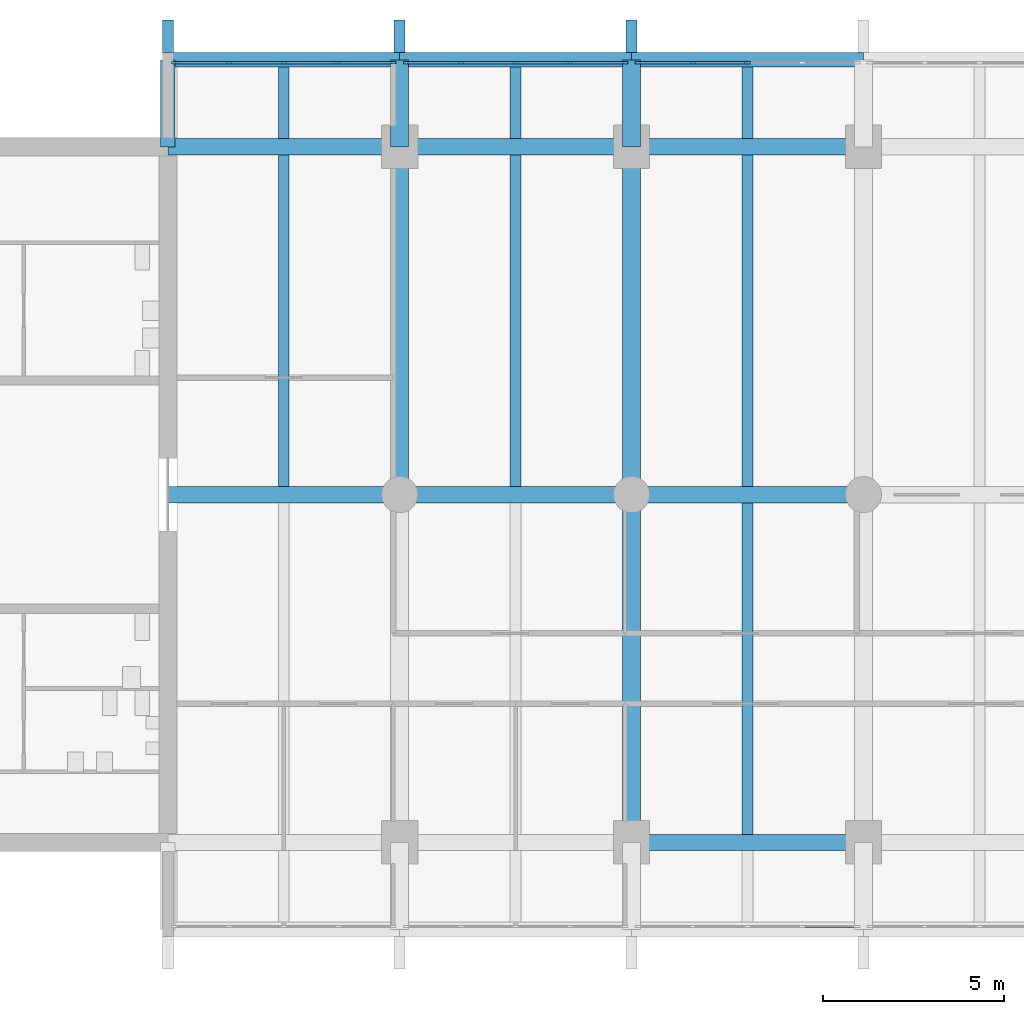
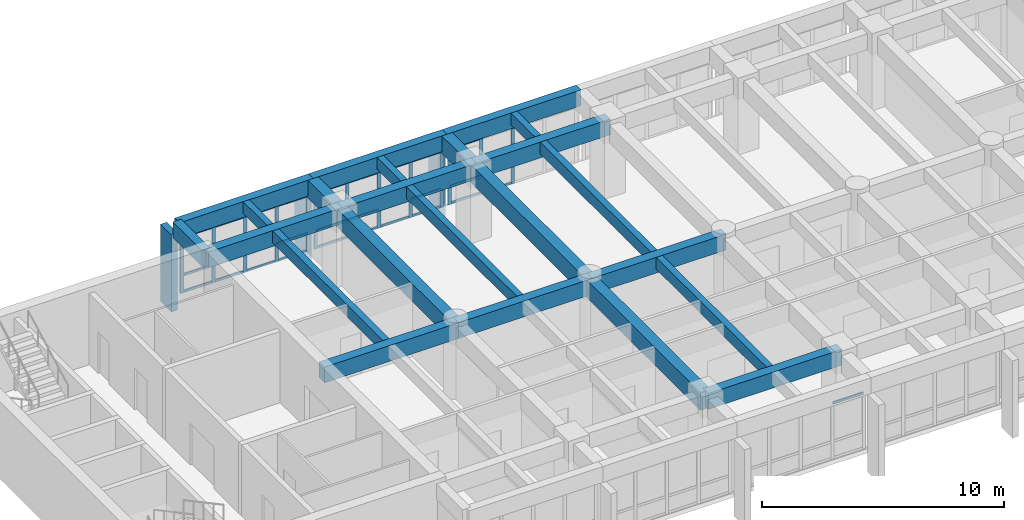
# One storey, part 3 of 15: 45 members, 23 beams, 4 elements without a shape of their own.
"""IFC4 building model written with IfcOpenShell, lengths in metres."""

import ifcopenshell
import ifcopenshell.guid

model = None  # the IFC model being written
_history = None  # IfcOwnerHistory: only IFC2X3 demands one
_inside = {}  # id of a spatial element -> (the spatial element, [elements in it])
_under = {}  # id of a project, library or spatial element -> (it, [spatial elements below it])
_declared = {}  # id of a project -> (the project, [libraries it declares])
_typed = {}  # id of a type object -> (the type object, [elements of that type])
_made_of = {}  # id of a material, layer set ... -> (it, [elements and type objects made of it])


def new_model(schema):
    """Start an empty IFC model of exactly this schema.

    Asked for "IFC4X3", IfcOpenShell would pick the latest addendum, in which some entities
    have other attributes; the version numbers below select the first issue.
    IFC2X3 requires an IfcOwnerHistory on every rooted entity: one is made here for all.
    """
    global model, _history
    if schema == "IFC4X3":
        model = ifcopenshell.file(schema_version=(4, 3, 0, 0))
    else:
        model = ifcopenshell.file(schema=schema)
    _inside.clear()
    _under.clear()
    _declared.clear()
    _typed.clear()
    _made_of.clear()
    _history = None
    if model.schema == "IFC2X3":
        org = make("IfcOrganization", Name="unknown")
        user = make(
            "IfcPersonAndOrganization",
            ThePerson=make("IfcPerson", FamilyName="unknown"),
            TheOrganization=org,
        )
        app = make(
            "IfcApplication",
            ApplicationDeveloper=org,
            Version="unknown",
            ApplicationFullName="unknown",
            ApplicationIdentifier="unknown",
        )
        _history = make(
            "IfcOwnerHistory",
            OwningUser=user,
            OwningApplication=app,
            ChangeAction="ADDED",
            CreationDate=0,
        )
    return model


def make(cls, **values):
    """One entity of the class cls with the attributes given. An attribute that is None is left unset."""
    return model.create_entity(
        cls, **{name: value for name, value in values.items() if value is not None}
    )


def rooted(cls, **values):
    """An entity with a GlobalId (a new one), such as an element, a storey or a relation."""
    return make(cls, GlobalId=ifcopenshell.guid.new(), OwnerHistory=_history, **values)


def si_unit(unit_type, name, prefix=None):
    """IfcSIUnit, for example si_unit("LENGTHUNIT", "METRE", prefix="MILLI")."""
    return make("IfcSIUnit", UnitType=unit_type, Prefix=prefix, Name=name)


def assignment(units):
    """IfcUnitAssignment: the units of a project."""
    return None if units is None else make("IfcUnitAssignment", Units=units)


def point(xyz):
    """IfcCartesianPoint."""
    return None if xyz is None else make("IfcCartesianPoint", Coordinates=xyz)


def direction(xyz):
    """IfcDirection."""
    return None if xyz is None else make("IfcDirection", DirectionRatios=xyz)


def frame(location, z_axis=None, x_axis=None):
    """IfcAxis2Placement3D, a coordinate frame: its origin and axes. An axis left out is left unset."""
    return make(
        "IfcAxis2Placement3D",
        Location=point(location),
        Axis=direction(z_axis),
        RefDirection=direction(x_axis),
    )


def frame_2d(location, x_axis=None):
    """IfcAxis2Placement2D, a coordinate frame in the plane: its origin and x axis."""
    return make(
        "IfcAxis2Placement2D", Location=point(location), RefDirection=direction(x_axis)
    )


def origin():
    """The frame at (0, 0, 0) with its axes left unset."""
    return frame((0.0, 0.0, 0.0))


def origin_2d():
    """The frame at (0, 0) in the plane with its x axis left unset."""
    return frame_2d((0.0, 0.0))


def place(relative_to, where):
    """IfcLocalPlacement: puts the frame where relative to a parent placement (None: the world)."""
    return make(
        "IfcLocalPlacement", PlacementRelTo=relative_to, RelativePlacement=where
    )


def context(
    kind, dimensions, precision=None, world=None, true_north=None, identifier=None
):
    """IfcGeometricRepresentationContext, for example the 3D "Model" context."""
    return make(
        "IfcGeometricRepresentationContext",
        ContextIdentifier=identifier,
        ContextType=kind,
        CoordinateSpaceDimension=dimensions,
        Precision=precision,
        WorldCoordinateSystem=world,
        TrueNorth=true_north,
    )


def subcontext(parent, identifier, kind, view, scale=None):
    """IfcGeometricRepresentationSubContext, for example "Body" below "Model"."""
    return make(
        "IfcGeometricRepresentationSubContext",
        ContextIdentifier=identifier,
        ContextType=kind,
        ParentContext=parent,
        TargetScale=scale,
        TargetView=view,
    )


def project(units=None, contexts=None):
    """IfcProject with its units and contexts."""
    return rooted(
        "IfcProject",
        Name="project",
        RepresentationContexts=contexts,
        UnitsInContext=assignment(units),
    )


def spatial(cls, under=None, at=None, **own):
    """A site, building, storey or space (cls), placed at a placement, below another one or the project."""
    s = rooted(cls, ObjectPlacement=at, **own)
    if under is not None:
        _under.setdefault(under.id(), (under, []))[1].append(s)
    return s


def profile(cls, at=None, kind="AREA", **sizes):
    """A parametric profile (cls). Its sizes go by their IFC names, for example OverallWidth=200.0."""
    return make(cls, ProfileType=kind, Position=at, **sizes)


def rectangle(**sizes):
    """IfcRectangleProfileDef."""
    return profile("IfcRectangleProfileDef", **sizes)


def extrude(swept, where, along, depth):
    """IfcExtrudedAreaSolid: the profile swept, set in the frame where, extruded along a direction by depth."""
    return make(
        "IfcExtrudedAreaSolid",
        SweptArea=swept,
        Position=where,
        ExtrudedDirection=direction(along),
        Depth=depth,
    )


def shape(context_of_items, identifier, shape_type, items):
    """IfcShapeRepresentation: the items that make up one representation, for example the "Body"."""
    return make(
        "IfcShapeRepresentation",
        ContextOfItems=context_of_items,
        RepresentationIdentifier=identifier,
        RepresentationType=shape_type,
        Items=items,
    )


def material(Name=None, Category=None):
    """IfcMaterial."""
    return make("IfcMaterial", Name=Name, Category=Category)


def layer(
    of_material, thickness, ventilated=None, Name=None, Category=None, Priority=None
):
    """IfcMaterialLayer: one layer of a wall or slab, of a material (None: an air gap)."""
    return make(
        "IfcMaterialLayer",
        Material=of_material,
        LayerThickness=thickness,
        IsVentilated=ventilated,
        Name=Name,
        Category=Category,
        Priority=Priority,
    )


def layer_set(layers, Name=None):
    """IfcMaterialLayerSet."""
    return make("IfcMaterialLayerSet", MaterialLayers=layers, LayerSetName=Name)


def material_profile(
    of_material, cross_section, Name=None, Category=None, Priority=None
):
    """IfcMaterialProfile: a cross section and its material."""
    return make(
        "IfcMaterialProfile",
        Name=Name,
        Material=of_material,
        Profile=cross_section,
        Priority=Priority,
        Category=Category,
    )


def profile_set(profiles, Name=None, composite=None):
    """IfcMaterialProfileSet."""
    return make(
        "IfcMaterialProfileSet",
        Name=Name,
        MaterialProfiles=profiles,
        CompositeProfile=composite,
    )


def made_of(thing, what):
    """Note that an element or type object is made of a material, layer set ...; save() writes the relation."""
    if what is not None:
        _made_of.setdefault(what.id(), (what, []))[1].append(thing)
    return thing


def type_object(cls, material=None, **own):
    """A type object (cls), such as IfcWallType, which elements share."""
    return made_of(rooted(cls, **own), material)


def element(
    cls,
    number,
    at=None,
    inside=None,
    cuts=None,
    type_object=None,
    material=None,
    context=None,
    identifier="Body",
    shape_type=None,
    held_by="IfcProductDefinitionShape",
    body=None,
    shapes=None,
    **own,
):
    """One element of the class cls, such as IfcWall. Its Tag is "e" and its number.

    at: its placement. inside: the storey or other place that contains it. cuts: it is an
    opening in that element (IfcRelVoidsElement). A single representation is given by context,
    identifier, shape_type and body (its items); several are given by shapes. held_by: the class
    of the entity that holds the representations. save() writes the other relations.
    """
    e = rooted(cls, Tag="e%d" % number, ObjectPlacement=at, **own)
    if body is not None:
        shapes = [shape(context, identifier, shape_type, body)]
    if shapes is not None:
        e.Representation = make(held_by, Representations=shapes)
    if inside is not None:
        _inside.setdefault(inside.id(), (inside, []))[1].append(e)
    if cuts is not None:
        rooted(
            "IfcRelVoidsElement", RelatingBuildingElement=cuts, RelatedOpeningElement=e
        )
    if type_object is not None:
        _typed.setdefault(type_object.id(), (type_object, []))[1].append(e)
    return made_of(e, material)


def aggregate(whole, parts):
    """IfcRelAggregates: a whole, such as a stair, and the parts it consists of."""
    return rooted("IfcRelAggregates", RelatingObject=whole, RelatedObjects=parts)


def save(model, path):
    """Write the relations noted so far, then the file.

    IfcRelAggregates (storeys below a building ...), IfcRelContainedInSpatialStructure (elements
    in a storey), IfcRelDefinesByType, IfcRelAssociatesMaterial and IfcRelDeclares: one each for
    every whole, place, type object, material and project.
    """
    for whole, parts in _under.values():
        aggregate(whole, parts)
    for where, things in _inside.values():
        rooted(
            "IfcRelContainedInSpatialStructure",
            RelatedElements=things,
            RelatingStructure=where,
        )
    for kind, things in _typed.values():
        rooted("IfcRelDefinesByType", RelatedObjects=things, RelatingType=kind)
    for what, things in _made_of.values():
        rooted("IfcRelAssociatesMaterial", RelatedObjects=things, RelatingMaterial=what)
    for by, libraries in _declared.values():
        rooted("IfcRelDeclares", RelatingContext=by, RelatedDefinitions=libraries)
    model.write(path)


model = new_model("IFC4")

# Units and contexts
model_context = context("Model", 3, precision=1e-05, world=origin(), true_north=direction((0.0, 1.0)))
body_context = subcontext(model_context, "Body", "Model", "MODEL_VIEW")
ifc_project = project(units=[si_unit("LENGTHUNIT", "METRE"), si_unit("AREAUNIT", "SQUARE_METRE"), si_unit("VOLUMEUNIT", "CUBIC_METRE"), si_unit("PLANEANGLEUNIT", "RADIAN"), si_unit("MASSUNIT", "GRAM", prefix="KILO")], contexts=[model_context])

# Site, building, storey
site_placement = place(None, origin())
site = spatial("IfcSite", under=ifc_project, at=site_placement, CompositionType="ELEMENT")
building_placement = place(site_placement, origin())
building = spatial("IfcBuilding", under=site, at=building_placement, Name="Fogon Plaza Fire Station and Headquarters Tower", CompositionType="ELEMENT")
storey_placement = place(building_placement, frame((0.0, 0.0, 28.800048828125)))
storey = spatial("IfcBuildingStorey", under=building, at=storey_placement, Name="L07", CompositionType="ELEMENT", Elevation=28.800048828125)

# Beams
ifc_material_1 = material(Name="Concrete C40", Category="concrete")
ifc_material_profile_1 = material_profile(ifc_material_1, rectangle(XDim=0.39990234375, YDim=0.800048828125, at=origin_2d()), Name="RC 400x800")
ifc_profile_set_1 = profile_set([ifc_material_profile_1], Name="Concrete C40")
beam_type_1 = type_object("IfcBeamType", Name="BEAM RC 400x800", PredefinedType="BEAM", material=ifc_profile_set_1)
for number, where, z_axis, x_axis, name in (
    (1, (25.60009765625, 55.199951171875, 3.280029296875), (1.0, 0.0, 0.0), (0.0, 1.0, 0.0), "beam-L07-045"),
    (2, (32.0, 55.199951171875, 3.280029296875), (1.0, 0.0, 0.0), (0.0, 1.0, 0.0), "beam-L07-046"),
):
    element("IfcBeam", number, at=place(storey_placement, frame(where, z_axis=z_axis, x_axis=x_axis)), inside=storey, type_object=beam_type_1, Name=name, PredefinedType="BEAM", context=body_context, shape_type="SweptSolid", body=[
        extrude(rectangle(XDim=0.39990234375, YDim=0.800048828125, at=origin_2d()), origin(), (0.0, 0.0, 1.0), 6.39990234375),
    ])
beam_1_placement = place(storey_placement, frame((38.39990234375, 55.199951171875, 3.280029296875), z_axis=(1.0, 0.0, 0.0), x_axis=(0.0, 1.0, 0.0)))
element("IfcBeam", 3, at=beam_1_placement, inside=storey, type_object=beam_type_1, Name="beam-L07-047", PredefinedType="BEAM", context=body_context, shape_type="SweptSolid", body=[
    extrude(rectangle(XDim=0.39990234375, YDim=0.800048828125, at=origin_2d()), origin(), (0.0, 0.0, 1.0), 6.400146484375),
])
ifc_material_2 = material(Name="Concrete C40", Category="concrete")
ifc_material_profile_2 = material_profile(ifc_material_2, rectangle(XDim=0.39990234375, YDim=0.800048828125, at=origin_2d()), Name="RC 400x800")
ifc_profile_set_2 = profile_set([ifc_material_profile_2], Name="Concrete C40")
beam_type_2 = type_object("IfcBeamType", Name="BEAM RC 400x800 SPAN 0.0 TO 3.0 M", PredefinedType="BEAM", material=ifc_profile_set_2)
beam_2_placement = place(storey_placement, frame((25.60009765625, 52.800048828125, 3.280029296875), z_axis=(0.0, 1.0, 0.0), x_axis=(-1.0, 0.0, 0.0)))
element("IfcBeam", 4, at=beam_2_placement, inside=storey, type_object=beam_type_2, Name="beam-L07-052", PredefinedType="BEAM", context=body_context, shape_type="SweptSolid", body=[
    extrude(rectangle(XDim=0.39990234375, YDim=0.800048828125, at=origin_2d()), origin(), (0.0, 0.0, 1.0), 2.39990234375),
])
ifc_material_3 = material(Name="Concrete C40", Category="concrete")
ifc_material_profile_3 = material_profile(ifc_material_3, rectangle(XDim=0.449951171875, YDim=0.800048828125, at=origin_2d()), Name="RC 450x800")
ifc_profile_set_3 = profile_set([ifc_material_profile_3], Name="Concrete C40")
beam_type_3 = type_object("IfcBeamType", Name="BEAM RC 450x800", PredefinedType="BEAM", material=ifc_profile_set_3)
beam_3_placement = place(storey_placement, frame((38.39990234375, 33.60009765625, 3.280029296875), z_axis=(1.0, 0.0, 0.0), x_axis=(0.0, 1.0, 0.0)))
element("IfcBeam", 5, at=beam_3_placement, inside=storey, type_object=beam_type_3, Name="beam-L07-023", PredefinedType="BEAM", context=body_context, shape_type="SweptSolid", body=[
    extrude(rectangle(XDim=0.449951171875, YDim=0.800048828125, at=origin_2d()), origin(), (0.0, 0.0, 1.0), 6.400146484375),
])
for number, where, z_axis, x_axis, name in (
    (6, (25.60009765625, 43.199951171875, 3.280029296875), (1.0, 0.0, 0.0), (0.0, 1.0, 0.0), "beam-L07-027"),
    (7, (32.0, 43.199951171875, 3.280029296875), (1.0, 0.0, 0.0), (0.0, 1.0, 0.0), "beam-L07-028"),
):
    element("IfcBeam", number, at=place(storey_placement, frame(where, z_axis=z_axis, x_axis=x_axis)), inside=storey, type_object=beam_type_3, Name=name, PredefinedType="BEAM", context=body_context, shape_type="SweptSolid", body=[
        extrude(rectangle(XDim=0.449951171875, YDim=0.800048828125, at=origin_2d()), origin(), (0.0, 0.0, 1.0), 6.39990234375),
    ])
beam_4_placement = place(storey_placement, frame((38.39990234375, 43.199951171875, 3.280029296875), z_axis=(1.0, 0.0, 0.0), x_axis=(0.0, 1.0, 0.0)))
element("IfcBeam", 8, at=beam_4_placement, inside=storey, type_object=beam_type_3, Name="beam-L07-029", PredefinedType="BEAM", context=body_context, shape_type="SweptSolid", body=[
    extrude(rectangle(XDim=0.449951171875, YDim=0.800048828125, at=origin_2d()), origin(), (0.0, 0.0, 1.0), 6.400146484375),
])
for number, where, z_axis, x_axis, name in (
    (9, (25.60009765625, 52.800048828125, 3.280029296875), (1.0, 0.0, 0.0), (0.0, 1.0, 0.0), "beam-L07-033"),
    (10, (32.0, 52.800048828125, 3.280029296875), (1.0, 0.0, 0.0), (0.0, 1.0, 0.0), "beam-L07-034"),
):
    element("IfcBeam", number, at=place(storey_placement, frame(where, z_axis=z_axis, x_axis=x_axis)), inside=storey, type_object=beam_type_3, Name=name, PredefinedType="BEAM", context=body_context, shape_type="SweptSolid", body=[
        extrude(rectangle(XDim=0.449951171875, YDim=0.800048828125, at=origin_2d()), origin(), (0.0, 0.0, 1.0), 6.39990234375),
    ])
beam_5_placement = place(storey_placement, frame((38.39990234375, 52.800048828125, 3.280029296875), z_axis=(1.0, 0.0, 0.0), x_axis=(0.0, 1.0, 0.0)))
element("IfcBeam", 11, at=beam_5_placement, inside=storey, type_object=beam_type_3, Name="beam-L07-035", PredefinedType="BEAM", context=body_context, shape_type="SweptSolid", body=[
    extrude(rectangle(XDim=0.449951171875, YDim=0.800048828125, at=origin_2d()), origin(), (0.0, 0.0, 1.0), 6.400146484375),
])
ifc_material_4 = material(Name="Concrete C40", Category="concrete")
ifc_material_profile_4 = material_profile(ifc_material_4, rectangle(XDim=0.5, YDim=0.89990234375, at=origin_2d()), Name="RC 500x900")
ifc_profile_set_4 = profile_set([ifc_material_profile_4], Name="Concrete C40")
beam_type_4 = type_object("IfcBeamType", Name="BEAM RC 500x900 SPAN 0.0 TO 3.0 M", PredefinedType="BEAM", material=ifc_profile_set_4)
for number, where, z_axis, x_axis, name in (
    (12, (32.0, 52.800048828125, 3.22998046875), (0.0, 1.0, 0.0), (-1.0, 0.0, 0.0), "beam-L07-004"),
    (13, (38.39990234375, 52.800048828125, 3.22998046875), (0.0, 1.0, 0.0), (-1.0, 0.0, 0.0), "beam-L07-008"),
):
    element("IfcBeam", number, at=place(storey_placement, frame(where, z_axis=z_axis, x_axis=x_axis)), inside=storey, type_object=beam_type_4, Name=name, PredefinedType="BEAM", context=body_context, shape_type="SweptSolid", body=[
        extrude(rectangle(XDim=0.5, YDim=0.89990234375, at=origin_2d()), origin(), (0.0, 0.0, 1.0), 2.39990234375),
    ])
ifc_material_5 = material(Name="Concrete C40", Category="concrete")
ifc_material_profile_5 = material_profile(ifc_material_5, rectangle(XDim=0.5, YDim=0.89990234375, at=origin_2d()), Name="RC 500x900")
ifc_profile_set_5 = profile_set([ifc_material_profile_5], Name="Concrete C40")
beam_type_5 = type_object("IfcBeamType", Name="BEAM RC 500x900 SPAN 7.7 TO 12.3 M", PredefinedType="BEAM", material=ifc_profile_set_5)
beam_6_placement = place(storey_placement, frame((32.0, 43.199951171875, 3.22998046875), z_axis=(0.0, 1.0, 0.0), x_axis=(-1.0, 0.0, 0.0)))
element("IfcBeam", 14, at=beam_6_placement, inside=storey, type_object=beam_type_5, Name="beam-L07-003", PredefinedType="BEAM", context=body_context, shape_type="SweptSolid", body=[
    extrude(rectangle(XDim=0.5, YDim=0.89990234375, at=origin_2d()), origin(), (0.0, 0.0, 1.0), 9.60009765625),
])
beam_7_placement = place(storey_placement, frame((38.39990234375, 33.60009765625, 3.22998046875), z_axis=(0.0, 1.0, 0.0), x_axis=(-1.0, 0.0, 0.0)))
element("IfcBeam", 15, at=beam_7_placement, inside=storey, type_object=beam_type_5, Name="beam-L07-006", PredefinedType="BEAM", context=body_context, shape_type="SweptSolid", body=[
    extrude(rectangle(XDim=0.5, YDim=0.89990234375, at=origin_2d()), origin(), (0.0, 0.0, 1.0), 9.599853515625),
])
beam_8_placement = place(storey_placement, frame((38.39990234375, 43.199951171875, 3.22998046875), z_axis=(0.0, 1.0, 0.0), x_axis=(-1.0, 0.0, 0.0)))
element("IfcBeam", 16, at=beam_8_placement, inside=storey, type_object=beam_type_5, Name="beam-L07-007", PredefinedType="BEAM", context=body_context, shape_type="SweptSolid", body=[
    extrude(rectangle(XDim=0.5, YDim=0.89990234375, at=origin_2d()), origin(), (0.0, 0.0, 1.0), 9.60009765625),
])

# Curtain wall, members
ifc_material_6 = material(Name="Aluminium and glass", Category="aluminium")
ifc_layer = layer(ifc_material_6, 0.14990234375)
ifc_layer_set = layer_set([ifc_layer], Name="Aluminium and glass")
curtain_wall_type = type_object("IfcCurtainWallType", Name="Unitised Curtain Wall Run 6100x2880", PredefinedType="NOTDEFINED", material=ifc_layer_set)
curtain_wall_1_placement = place(storey_placement, origin())
curtain_wall_1 = element("IfcCurtainWall", 17, at=curtain_wall_1_placement, inside=storey, type_object=curtain_wall_type, Name="CW-6100x2880 N1 L07", PredefinedType="NOTDEFINED")
ifc_material_7 = material(Name="Aluminium", Category="aluminium")
ifc_material_profile_6 = material_profile(ifc_material_7, rectangle(XDim=0.06005859375, YDim=0.159912109375, at=origin_2d()), Name="Curtain Wall Mullion 60x160")
ifc_profile_set_6 = profile_set([ifc_material_profile_6], Name="Aluminium")
member_type_1 = type_object("IfcMemberType", Name="Curtain Wall Mullion 60x160", PredefinedType="MULLION", material=ifc_profile_set_6)
member_1_placement = place(storey_placement, frame((25.780029296875, 55.1201171875, 0.0), z_axis=(0.0, 0.0, 1.0), x_axis=(0.0, 1.0, 0.0)))
member_1 = element("IfcMember", 18, at=member_1_placement, type_object=member_type_1, Name="CW-6100x2880 mullion 1", PredefinedType="MULLION", context=body_context, shape_type="SweptSolid", body=[
    extrude(rectangle(XDim=0.06005859375, YDim=0.159912109375, at=origin_2d()), origin(), (0.0, 0.0, 1.0), 2.8798828125),
])
member_2_placement = place(storey_placement, frame((27.2900390625, 55.1201171875, 0.0), z_axis=(0.0, 0.0, 1.0), x_axis=(0.0, 1.0, 0.0)))
member_2 = element("IfcMember", 19, at=member_2_placement, type_object=member_type_1, Name="CW-6100x2880 mullion 2", PredefinedType="MULLION", context=body_context, shape_type="SweptSolid", body=[
    extrude(rectangle(XDim=0.06005859375, YDim=0.159912109375, at=origin_2d()), origin(), (0.0, 0.0, 1.0), 2.8798828125),
])
member_3_placement = place(storey_placement, frame((28.800048828125, 55.1201171875, 0.0), z_axis=(0.0, 0.0, 1.0), x_axis=(0.0, 1.0, 0.0)))
member_3 = element("IfcMember", 20, at=member_3_placement, type_object=member_type_1, Name="CW-6100x2880 mullion 3", PredefinedType="MULLION", context=body_context, shape_type="SweptSolid", body=[
    extrude(rectangle(XDim=0.06005859375, YDim=0.159912109375, at=origin_2d()), origin(), (0.0, 0.0, 1.0), 2.8798828125),
])
member_4_placement = place(storey_placement, frame((30.31005859375, 55.1201171875, 0.0), z_axis=(0.0, 0.0, 1.0), x_axis=(0.0, 1.0, 0.0)))
member_4 = element("IfcMember", 21, at=member_4_placement, type_object=member_type_1, Name="CW-6100x2880 mullion 4", PredefinedType="MULLION", context=body_context, shape_type="SweptSolid", body=[
    extrude(rectangle(XDim=0.06005859375, YDim=0.159912109375, at=origin_2d()), origin(), (0.0, 0.0, 1.0), 2.8798828125),
])
member_5_placement = place(storey_placement, frame((31.820068359375, 55.1201171875, 0.0), z_axis=(0.0, 0.0, 1.0), x_axis=(0.0, 1.0, 0.0)))
member_5 = element("IfcMember", 22, at=member_5_placement, type_object=member_type_1, Name="CW-6100x2880 mullion 5", PredefinedType="MULLION", context=body_context, shape_type="SweptSolid", body=[
    extrude(rectangle(XDim=0.06005859375, YDim=0.159912109375, at=origin_2d()), origin(), (0.0, 0.0, 1.0), 2.8798828125),
])

curtain_wall_2_placement = place(storey_placement, origin())
curtain_wall_2 = element("IfcCurtainWall", 23, at=curtain_wall_2_placement, inside=storey, type_object=curtain_wall_type, Name="CW-6100x2880 N2 L07", PredefinedType="NOTDEFINED")
member_6_placement = place(storey_placement, frame((32.179931640625, 55.1201171875, 0.0), z_axis=(0.0, 0.0, 1.0), x_axis=(0.0, 1.0, 0.0)))
member_6 = element("IfcMember", 24, at=member_6_placement, type_object=member_type_1, Name="CW-6100x2880 mullion 1", PredefinedType="MULLION", context=body_context, shape_type="SweptSolid", body=[
    extrude(rectangle(XDim=0.06005859375, YDim=0.159912109375, at=origin_2d()), origin(), (0.0, 0.0, 1.0), 2.8798828125),
])
member_7_placement = place(storey_placement, frame((33.68994140625, 55.1201171875, 0.0), z_axis=(0.0, 0.0, 1.0), x_axis=(0.0, 1.0, 0.0)))
member_7 = element("IfcMember", 25, at=member_7_placement, type_object=member_type_1, Name="CW-6100x2880 mullion 2", PredefinedType="MULLION", context=body_context, shape_type="SweptSolid", body=[
    extrude(rectangle(XDim=0.06005859375, YDim=0.159912109375, at=origin_2d()), origin(), (0.0, 0.0, 1.0), 2.8798828125),
])
member_8_placement = place(storey_placement, frame((35.199951171875, 55.1201171875, 0.0), z_axis=(0.0, 0.0, 1.0), x_axis=(0.0, 1.0, 0.0)))
member_8 = element("IfcMember", 26, at=member_8_placement, type_object=member_type_1, Name="CW-6100x2880 mullion 3", PredefinedType="MULLION", context=body_context, shape_type="SweptSolid", body=[
    extrude(rectangle(XDim=0.06005859375, YDim=0.159912109375, at=origin_2d()), origin(), (0.0, 0.0, 1.0), 2.8798828125),
])
member_9_placement = place(storey_placement, frame((36.7099609375, 55.1201171875, 0.0), z_axis=(0.0, 0.0, 1.0), x_axis=(0.0, 1.0, 0.0)))
member_9 = element("IfcMember", 27, at=member_9_placement, type_object=member_type_1, Name="CW-6100x2880 mullion 4", PredefinedType="MULLION", context=body_context, shape_type="SweptSolid", body=[
    extrude(rectangle(XDim=0.06005859375, YDim=0.159912109375, at=origin_2d()), origin(), (0.0, 0.0, 1.0), 2.8798828125),
])
member_10_placement = place(storey_placement, frame((38.219970703125, 55.1201171875, 0.0), z_axis=(0.0, 0.0, 1.0), x_axis=(0.0, 1.0, 0.0)))
member_10 = element("IfcMember", 28, at=member_10_placement, type_object=member_type_1, Name="CW-6100x2880 mullion 5", PredefinedType="MULLION", context=body_context, shape_type="SweptSolid", body=[
    extrude(rectangle(XDim=0.06005859375, YDim=0.159912109375, at=origin_2d()), origin(), (0.0, 0.0, 1.0), 2.8798828125),
])

curtain_wall_3_placement = place(storey_placement, origin())
curtain_wall_3 = element("IfcCurtainWall", 29, at=curtain_wall_3_placement, inside=storey, type_object=curtain_wall_type, Name="CW-6100x2880 N3 L07", PredefinedType="NOTDEFINED")
member_11_placement = place(storey_placement, frame((38.580078125, 55.1201171875, 0.0), z_axis=(0.0, 0.0, 1.0), x_axis=(0.0, 1.0, 0.0)))
member_11 = element("IfcMember", 30, at=member_11_placement, type_object=member_type_1, Name="CW-6100x2880 mullion 1", PredefinedType="MULLION", context=body_context, shape_type="SweptSolid", body=[
    extrude(rectangle(XDim=0.06005859375, YDim=0.159912109375, at=origin_2d()), origin(), (0.0, 0.0, 1.0), 2.8798828125),
])
member_12_placement = place(storey_placement, frame((40.090087890625, 55.1201171875, 0.0), z_axis=(0.0, 0.0, 1.0), x_axis=(0.0, 1.0, 0.0)))
member_12 = element("IfcMember", 31, at=member_12_placement, type_object=member_type_1, Name="CW-6100x2880 mullion 2", PredefinedType="MULLION", context=body_context, shape_type="SweptSolid", body=[
    extrude(rectangle(XDim=0.06005859375, YDim=0.159912109375, at=origin_2d()), origin(), (0.0, 0.0, 1.0), 2.8798828125),
])
member_13_placement = place(storey_placement, frame((41.60009765625, 55.1201171875, 0.0), z_axis=(0.0, 0.0, 1.0), x_axis=(0.0, 1.0, 0.0)))
member_13 = element("IfcMember", 32, at=member_13_placement, type_object=member_type_1, Name="CW-6100x2880 mullion 3", PredefinedType="MULLION", context=body_context, shape_type="SweptSolid", body=[
    extrude(rectangle(XDim=0.06005859375, YDim=0.159912109375, at=origin_2d()), origin(), (0.0, 0.0, 1.0), 2.8798828125),
])

# Curtain wall, member
curtain_wall_4_placement = place(storey_placement, origin())
curtain_wall_4 = element("IfcCurtainWall", 33, at=curtain_wall_4_placement, inside=storey, type_object=curtain_wall_type, Name="CW-6100x2880 S3 L07", PredefinedType="NOTDEFINED")
ifc_material_8 = material(Name="Aluminium", Category="aluminium")
ifc_material_profile_7 = material_profile(ifc_material_8, rectangle(XDim=0.06005859375, YDim=0.1201171875, at=origin_2d()), Name="Curtain Wall Transom 60x120")
ifc_profile_set_7 = profile_set([ifc_material_profile_7], Name="Aluminium")
member_type_2 = type_object("IfcMemberType", Name="Curtain Wall Transom 60x120", PredefinedType="USERDEFINED", material=ifc_profile_set_7)
member_14_placement = place(storey_placement, frame((43.139892578125, 31.280029296875, 2.820068359375), z_axis=(1.0, 0.0, 0.0), x_axis=(0.0, 1.0, 0.0)))
member_14 = element("IfcMember", 34, at=member_14_placement, type_object=member_type_2, Name="CW-6100x2880 transom 4.3", ObjectType="TRANSOM", PredefinedType="USERDEFINED", context=body_context, shape_type="SweptSolid", body=[
    extrude(rectangle(XDim=0.06005859375, YDim=0.1201171875, at=origin_2d()), origin(), (0.0, 0.0, 1.0), 1.4501953125),
])
aggregate(curtain_wall_4, [member_14])

# Member
member_15_placement = place(storey_placement, frame((25.81005859375, 55.1201171875, 0.06005859375), z_axis=(1.0, 0.0, 0.0), x_axis=(0.0, 1.0, 0.0)))
member_15 = element("IfcMember", 35, at=member_15_placement, type_object=member_type_2, Name="CW-6100x2880 transom 1.1", ObjectType="TRANSOM", PredefinedType="USERDEFINED", context=body_context, shape_type="SweptSolid", body=[
    extrude(rectangle(XDim=0.06005859375, YDim=0.1201171875, at=origin_2d()), origin(), (0.0, 0.0, 1.0), 1.449951171875),
])

member_16_placement = place(storey_placement, frame((25.81005859375, 55.1201171875, 0.89990234375), z_axis=(1.0, 0.0, 0.0), x_axis=(0.0, 1.0, 0.0)))
member_16 = element("IfcMember", 36, at=member_16_placement, type_object=member_type_2, Name="CW-6100x2880 transom 1.2", ObjectType="TRANSOM", PredefinedType="USERDEFINED", context=body_context, shape_type="SweptSolid", body=[
    extrude(rectangle(XDim=0.06005859375, YDim=0.1201171875, at=origin_2d()), origin(), (0.0, 0.0, 1.0), 1.449951171875),
])

member_17_placement = place(storey_placement, frame((25.81005859375, 55.1201171875, 2.820068359375), z_axis=(1.0, 0.0, 0.0), x_axis=(0.0, 1.0, 0.0)))
member_17 = element("IfcMember", 37, at=member_17_placement, type_object=member_type_2, Name="CW-6100x2880 transom 1.3", ObjectType="TRANSOM", PredefinedType="USERDEFINED", context=body_context, shape_type="SweptSolid", body=[
    extrude(rectangle(XDim=0.06005859375, YDim=0.1201171875, at=origin_2d()), origin(), (0.0, 0.0, 1.0), 1.449951171875),
])

member_18_placement = place(storey_placement, frame((27.320068359375, 55.1201171875, 0.06005859375), z_axis=(1.0, 0.0, 0.0), x_axis=(0.0, 1.0, 0.0)))
member_18 = element("IfcMember", 38, at=member_18_placement, type_object=member_type_2, Name="CW-6100x2880 transom 2.1", ObjectType="TRANSOM", PredefinedType="USERDEFINED", context=body_context, shape_type="SweptSolid", body=[
    extrude(rectangle(XDim=0.06005859375, YDim=0.1201171875, at=origin_2d()), origin(), (0.0, 0.0, 1.0), 1.449951171875),
])

member_19_placement = place(storey_placement, frame((27.320068359375, 55.1201171875, 0.89990234375), z_axis=(1.0, 0.0, 0.0), x_axis=(0.0, 1.0, 0.0)))
member_19 = element("IfcMember", 39, at=member_19_placement, type_object=member_type_2, Name="CW-6100x2880 transom 2.2", ObjectType="TRANSOM", PredefinedType="USERDEFINED", context=body_context, shape_type="SweptSolid", body=[
    extrude(rectangle(XDim=0.06005859375, YDim=0.1201171875, at=origin_2d()), origin(), (0.0, 0.0, 1.0), 1.449951171875),
])

member_20_placement = place(storey_placement, frame((27.320068359375, 55.1201171875, 2.820068359375), z_axis=(1.0, 0.0, 0.0), x_axis=(0.0, 1.0, 0.0)))
member_20 = element("IfcMember", 40, at=member_20_placement, type_object=member_type_2, Name="CW-6100x2880 transom 2.3", ObjectType="TRANSOM", PredefinedType="USERDEFINED", context=body_context, shape_type="SweptSolid", body=[
    extrude(rectangle(XDim=0.06005859375, YDim=0.1201171875, at=origin_2d()), origin(), (0.0, 0.0, 1.0), 1.449951171875),
])

member_21_placement = place(storey_placement, frame((28.830078125, 55.1201171875, 0.06005859375), z_axis=(1.0, 0.0, 0.0), x_axis=(0.0, 1.0, 0.0)))
member_21 = element("IfcMember", 41, at=member_21_placement, type_object=member_type_2, Name="CW-6100x2880 transom 3.1", ObjectType="TRANSOM", PredefinedType="USERDEFINED", context=body_context, shape_type="SweptSolid", body=[
    extrude(rectangle(XDim=0.06005859375, YDim=0.1201171875, at=origin_2d()), origin(), (0.0, 0.0, 1.0), 1.449951171875),
])

member_22_placement = place(storey_placement, frame((28.830078125, 55.1201171875, 0.89990234375), z_axis=(1.0, 0.0, 0.0), x_axis=(0.0, 1.0, 0.0)))
member_22 = element("IfcMember", 42, at=member_22_placement, type_object=member_type_2, Name="CW-6100x2880 transom 3.2", ObjectType="TRANSOM", PredefinedType="USERDEFINED", context=body_context, shape_type="SweptSolid", body=[
    extrude(rectangle(XDim=0.06005859375, YDim=0.1201171875, at=origin_2d()), origin(), (0.0, 0.0, 1.0), 1.449951171875),
])

member_23_placement = place(storey_placement, frame((28.830078125, 55.1201171875, 2.820068359375), z_axis=(1.0, 0.0, 0.0), x_axis=(0.0, 1.0, 0.0)))
member_23 = element("IfcMember", 43, at=member_23_placement, type_object=member_type_2, Name="CW-6100x2880 transom 3.3", ObjectType="TRANSOM", PredefinedType="USERDEFINED", context=body_context, shape_type="SweptSolid", body=[
    extrude(rectangle(XDim=0.06005859375, YDim=0.1201171875, at=origin_2d()), origin(), (0.0, 0.0, 1.0), 1.449951171875),
])

member_24_placement = place(storey_placement, frame((30.340087890625, 55.1201171875, 0.06005859375), z_axis=(1.0, 0.0, 0.0), x_axis=(0.0, 1.0, 0.0)))
member_24 = element("IfcMember", 44, at=member_24_placement, type_object=member_type_2, Name="CW-6100x2880 transom 4.1", ObjectType="TRANSOM", PredefinedType="USERDEFINED", context=body_context, shape_type="SweptSolid", body=[
    extrude(rectangle(XDim=0.06005859375, YDim=0.1201171875, at=origin_2d()), origin(), (0.0, 0.0, 1.0), 1.449951171875),
])

member_25_placement = place(storey_placement, frame((30.340087890625, 55.1201171875, 0.89990234375), z_axis=(1.0, 0.0, 0.0), x_axis=(0.0, 1.0, 0.0)))
member_25 = element("IfcMember", 45, at=member_25_placement, type_object=member_type_2, Name="CW-6100x2880 transom 4.2", ObjectType="TRANSOM", PredefinedType="USERDEFINED", context=body_context, shape_type="SweptSolid", body=[
    extrude(rectangle(XDim=0.06005859375, YDim=0.1201171875, at=origin_2d()), origin(), (0.0, 0.0, 1.0), 1.449951171875),
])

member_26_placement = place(storey_placement, frame((30.340087890625, 55.1201171875, 2.820068359375), z_axis=(1.0, 0.0, 0.0), x_axis=(0.0, 1.0, 0.0)))
member_26 = element("IfcMember", 46, at=member_26_placement, type_object=member_type_2, Name="CW-6100x2880 transom 4.3", ObjectType="TRANSOM", PredefinedType="USERDEFINED", context=body_context, shape_type="SweptSolid", body=[
    extrude(rectangle(XDim=0.06005859375, YDim=0.1201171875, at=origin_2d()), origin(), (0.0, 0.0, 1.0), 1.449951171875),
])

aggregate(curtain_wall_1, [member_1, member_2, member_3, member_4, member_5, member_15, member_16, member_17, member_18, member_19, member_20, member_21, member_22, member_23, member_24, member_25, member_26])

member_27_placement = place(storey_placement, frame((32.2099609375, 55.1201171875, 0.06005859375), z_axis=(1.0, 0.0, 0.0), x_axis=(0.0, 1.0, 0.0)))
member_27 = element("IfcMember", 47, at=member_27_placement, type_object=member_type_2, Name="CW-6100x2880 transom 1.1", ObjectType="TRANSOM", PredefinedType="USERDEFINED", context=body_context, shape_type="SweptSolid", body=[
    extrude(rectangle(XDim=0.06005859375, YDim=0.1201171875, at=origin_2d()), origin(), (0.0, 0.0, 1.0), 1.449951171875),
])

member_28_placement = place(storey_placement, frame((32.2099609375, 55.1201171875, 0.89990234375), z_axis=(1.0, 0.0, 0.0), x_axis=(0.0, 1.0, 0.0)))
member_28 = element("IfcMember", 48, at=member_28_placement, type_object=member_type_2, Name="CW-6100x2880 transom 1.2", ObjectType="TRANSOM", PredefinedType="USERDEFINED", context=body_context, shape_type="SweptSolid", body=[
    extrude(rectangle(XDim=0.06005859375, YDim=0.1201171875, at=origin_2d()), origin(), (0.0, 0.0, 1.0), 1.449951171875),
])

member_29_placement = place(storey_placement, frame((32.2099609375, 55.1201171875, 2.820068359375), z_axis=(1.0, 0.0, 0.0), x_axis=(0.0, 1.0, 0.0)))
member_29 = element("IfcMember", 49, at=member_29_placement, type_object=member_type_2, Name="CW-6100x2880 transom 1.3", ObjectType="TRANSOM", PredefinedType="USERDEFINED", context=body_context, shape_type="SweptSolid", body=[
    extrude(rectangle(XDim=0.06005859375, YDim=0.1201171875, at=origin_2d()), origin(), (0.0, 0.0, 1.0), 1.449951171875),
])

member_30_placement = place(storey_placement, frame((33.719970703125, 55.1201171875, 0.06005859375), z_axis=(1.0, 0.0, 0.0), x_axis=(0.0, 1.0, 0.0)))
member_30 = element("IfcMember", 50, at=member_30_placement, type_object=member_type_2, Name="CW-6100x2880 transom 2.1", ObjectType="TRANSOM", PredefinedType="USERDEFINED", context=body_context, shape_type="SweptSolid", body=[
    extrude(rectangle(XDim=0.06005859375, YDim=0.1201171875, at=origin_2d()), origin(), (0.0, 0.0, 1.0), 1.449951171875),
])

member_31_placement = place(storey_placement, frame((33.719970703125, 55.1201171875, 0.89990234375), z_axis=(1.0, 0.0, 0.0), x_axis=(0.0, 1.0, 0.0)))
member_31 = element("IfcMember", 51, at=member_31_placement, type_object=member_type_2, Name="CW-6100x2880 transom 2.2", ObjectType="TRANSOM", PredefinedType="USERDEFINED", context=body_context, shape_type="SweptSolid", body=[
    extrude(rectangle(XDim=0.06005859375, YDim=0.1201171875, at=origin_2d()), origin(), (0.0, 0.0, 1.0), 1.449951171875),
])

member_32_placement = place(storey_placement, frame((33.719970703125, 55.1201171875, 2.820068359375), z_axis=(1.0, 0.0, 0.0), x_axis=(0.0, 1.0, 0.0)))
member_32 = element("IfcMember", 52, at=member_32_placement, type_object=member_type_2, Name="CW-6100x2880 transom 2.3", ObjectType="TRANSOM", PredefinedType="USERDEFINED", context=body_context, shape_type="SweptSolid", body=[
    extrude(rectangle(XDim=0.06005859375, YDim=0.1201171875, at=origin_2d()), origin(), (0.0, 0.0, 1.0), 1.449951171875),
])

member_33_placement = place(storey_placement, frame((35.22998046875, 55.1201171875, 0.06005859375), z_axis=(1.0, 0.0, 0.0), x_axis=(0.0, 1.0, 0.0)))
member_33 = element("IfcMember", 53, at=member_33_placement, type_object=member_type_2, Name="CW-6100x2880 transom 3.1", ObjectType="TRANSOM", PredefinedType="USERDEFINED", context=body_context, shape_type="SweptSolid", body=[
    extrude(rectangle(XDim=0.06005859375, YDim=0.1201171875, at=origin_2d()), origin(), (0.0, 0.0, 1.0), 1.449951171875),
])

member_34_placement = place(storey_placement, frame((35.22998046875, 55.1201171875, 0.89990234375), z_axis=(1.0, 0.0, 0.0), x_axis=(0.0, 1.0, 0.0)))
member_34 = element("IfcMember", 54, at=member_34_placement, type_object=member_type_2, Name="CW-6100x2880 transom 3.2", ObjectType="TRANSOM", PredefinedType="USERDEFINED", context=body_context, shape_type="SweptSolid", body=[
    extrude(rectangle(XDim=0.06005859375, YDim=0.1201171875, at=origin_2d()), origin(), (0.0, 0.0, 1.0), 1.449951171875),
])

member_35_placement = place(storey_placement, frame((35.22998046875, 55.1201171875, 2.820068359375), z_axis=(1.0, 0.0, 0.0), x_axis=(0.0, 1.0, 0.0)))
member_35 = element("IfcMember", 55, at=member_35_placement, type_object=member_type_2, Name="CW-6100x2880 transom 3.3", ObjectType="TRANSOM", PredefinedType="USERDEFINED", context=body_context, shape_type="SweptSolid", body=[
    extrude(rectangle(XDim=0.06005859375, YDim=0.1201171875, at=origin_2d()), origin(), (0.0, 0.0, 1.0), 1.449951171875),
])

member_36_placement = place(storey_placement, frame((36.739990234375, 55.1201171875, 0.06005859375), z_axis=(1.0, 0.0, 0.0), x_axis=(0.0, 1.0, 0.0)))
member_36 = element("IfcMember", 56, at=member_36_placement, type_object=member_type_2, Name="CW-6100x2880 transom 4.1", ObjectType="TRANSOM", PredefinedType="USERDEFINED", context=body_context, shape_type="SweptSolid", body=[
    extrude(rectangle(XDim=0.06005859375, YDim=0.1201171875, at=origin_2d()), origin(), (0.0, 0.0, 1.0), 1.449951171875),
])

member_37_placement = place(storey_placement, frame((36.739990234375, 55.1201171875, 0.89990234375), z_axis=(1.0, 0.0, 0.0), x_axis=(0.0, 1.0, 0.0)))
member_37 = element("IfcMember", 57, at=member_37_placement, type_object=member_type_2, Name="CW-6100x2880 transom 4.2", ObjectType="TRANSOM", PredefinedType="USERDEFINED", context=body_context, shape_type="SweptSolid", body=[
    extrude(rectangle(XDim=0.06005859375, YDim=0.1201171875, at=origin_2d()), origin(), (0.0, 0.0, 1.0), 1.449951171875),
])

member_38_placement = place(storey_placement, frame((36.739990234375, 55.1201171875, 2.820068359375), z_axis=(1.0, 0.0, 0.0), x_axis=(0.0, 1.0, 0.0)))
member_38 = element("IfcMember", 58, at=member_38_placement, type_object=member_type_2, Name="CW-6100x2880 transom 4.3", ObjectType="TRANSOM", PredefinedType="USERDEFINED", context=body_context, shape_type="SweptSolid", body=[
    extrude(rectangle(XDim=0.06005859375, YDim=0.1201171875, at=origin_2d()), origin(), (0.0, 0.0, 1.0), 1.449951171875),
])

aggregate(curtain_wall_2, [member_6, member_7, member_8, member_9, member_10, member_27, member_28, member_29, member_30, member_31, member_32, member_33, member_34, member_35, member_36, member_37, member_38])

member_39_placement = place(storey_placement, frame((38.610107421875, 55.1201171875, 0.06005859375), z_axis=(1.0, 0.0, 0.0), x_axis=(0.0, 1.0, 0.0)))
member_39 = element("IfcMember", 59, at=member_39_placement, type_object=member_type_2, Name="CW-6100x2880 transom 1.1", ObjectType="TRANSOM", PredefinedType="USERDEFINED", context=body_context, shape_type="SweptSolid", body=[
    extrude(rectangle(XDim=0.06005859375, YDim=0.1201171875, at=origin_2d()), origin(), (0.0, 0.0, 1.0), 1.449951171875),
])

member_40_placement = place(storey_placement, frame((38.610107421875, 55.1201171875, 0.89990234375), z_axis=(1.0, 0.0, 0.0), x_axis=(0.0, 1.0, 0.0)))
member_40 = element("IfcMember", 60, at=member_40_placement, type_object=member_type_2, Name="CW-6100x2880 transom 1.2", ObjectType="TRANSOM", PredefinedType="USERDEFINED", context=body_context, shape_type="SweptSolid", body=[
    extrude(rectangle(XDim=0.06005859375, YDim=0.1201171875, at=origin_2d()), origin(), (0.0, 0.0, 1.0), 1.449951171875),
])

member_41_placement = place(storey_placement, frame((38.610107421875, 55.1201171875, 2.820068359375), z_axis=(1.0, 0.0, 0.0), x_axis=(0.0, 1.0, 0.0)))
member_41 = element("IfcMember", 61, at=member_41_placement, type_object=member_type_2, Name="CW-6100x2880 transom 1.3", ObjectType="TRANSOM", PredefinedType="USERDEFINED", context=body_context, shape_type="SweptSolid", body=[
    extrude(rectangle(XDim=0.06005859375, YDim=0.1201171875, at=origin_2d()), origin(), (0.0, 0.0, 1.0), 1.449951171875),
])

member_42_placement = place(storey_placement, frame((40.1201171875, 55.1201171875, 0.06005859375), z_axis=(1.0, 0.0, 0.0), x_axis=(0.0, 1.0, 0.0)))
member_42 = element("IfcMember", 62, at=member_42_placement, type_object=member_type_2, Name="CW-6100x2880 transom 2.1", ObjectType="TRANSOM", PredefinedType="USERDEFINED", context=body_context, shape_type="SweptSolid", body=[
    extrude(rectangle(XDim=0.06005859375, YDim=0.1201171875, at=origin_2d()), origin(), (0.0, 0.0, 1.0), 1.449951171875),
])

aggregate(curtain_wall_3, [member_11, member_12, member_13, member_39, member_40, member_41, member_42])

# Beams
ifc_material_9 = material(Name="Concrete C40", Category="concrete")
ifc_material_profile_8 = material_profile(ifc_material_9, rectangle(XDim=0.300048828125, YDim=0.60009765625, at=origin_2d()), Name="RC 300x600")
ifc_profile_set_8 = profile_set([ifc_material_profile_8], Name="Concrete C40")
beam_type_6 = type_object("IfcBeamType", Name="JOIST RC 300x600", PredefinedType="JOIST", material=ifc_profile_set_8)
for number, where, z_axis, x_axis, name in (
    (63, (28.800048828125, 43.425048828125, 3.3798828125), (0.0, 1.0, 0.0), (-1.0, 0.0, 0.0), "beam-L07-057"),
    (64, (35.199951171875, 43.425048828125, 3.3798828125), (0.0, 1.0, 0.0), (-1.0, 0.0, 0.0), "beam-L07-061"),
):
    element("IfcBeam", number, at=place(storey_placement, frame(where, z_axis=z_axis, x_axis=x_axis)), inside=storey, type_object=beam_type_6, Name=name, PredefinedType="JOIST", context=body_context, shape_type="SweptSolid", body=[
        extrude(rectangle(XDim=0.300048828125, YDim=0.60009765625, at=origin_2d()), origin(), (0.0, 0.0, 1.0), 9.14990234375),
    ])
beam_9_placement = place(storey_placement, frame((41.60009765625, 33.824951171875, 3.3798828125), z_axis=(0.0, 1.0, 0.0), x_axis=(-1.0, 0.0, 0.0)))
element("IfcBeam", 65, at=beam_9_placement, inside=storey, type_object=beam_type_6, Name="beam-L07-064", PredefinedType="JOIST", context=body_context, shape_type="SweptSolid", body=[
    extrude(rectangle(XDim=0.300048828125, YDim=0.60009765625, at=origin_2d()), origin(), (0.0, 0.0, 1.0), 9.150146484375),
])
beam_10_placement = place(storey_placement, frame((41.60009765625, 43.425048828125, 3.3798828125), z_axis=(0.0, 1.0, 0.0), x_axis=(-1.0, 0.0, 0.0)))
element("IfcBeam", 66, at=beam_10_placement, inside=storey, type_object=beam_type_6, Name="beam-L07-065", PredefinedType="JOIST", context=body_context, shape_type="SweptSolid", body=[
    extrude(rectangle(XDim=0.300048828125, YDim=0.60009765625, at=origin_2d()), origin(), (0.0, 0.0, 1.0), 9.14990234375),
])
ifc_material_10 = material(Name="Concrete C40", Category="concrete")
ifc_material_profile_9 = material_profile(ifc_material_10, rectangle(XDim=0.300048828125, YDim=0.60009765625, at=origin_2d()), Name="RC 300x600")
ifc_profile_set_9 = profile_set([ifc_material_profile_9], Name="Concrete C40")
beam_type_7 = type_object("IfcBeamType", Name="JOIST RC 300x600 SPAN 0.0 TO 3.0 M", PredefinedType="JOIST", material=ifc_profile_set_9)
for number, where, z_axis, x_axis, name in (
    (67, (28.800048828125, 53.02490234375, 3.3798828125), (0.0, 1.0, 0.0), (-1.0, 0.0, 0.0), "beam-L07-058"),
    (68, (35.199951171875, 53.02490234375, 3.3798828125), (0.0, 1.0, 0.0), (-1.0, 0.0, 0.0), "beam-L07-062"),
    (69, (41.60009765625, 53.02490234375, 3.3798828125), (0.0, 1.0, 0.0), (-1.0, 0.0, 0.0), "beam-L07-066"),
):
    element("IfcBeam", number, at=place(storey_placement, frame(where, z_axis=z_axis, x_axis=x_axis)), inside=storey, type_object=beam_type_7, Name=name, PredefinedType="JOIST", context=body_context, shape_type="SweptSolid", body=[
        extrude(rectangle(XDim=0.300048828125, YDim=0.60009765625, at=origin_2d()), origin(), (0.0, 0.0, 1.0), 1.97509765625),
    ])

# Members
ifc_material_11 = material(Name="Concrete C40 precast", Category="concrete")
ifc_material_profile_10 = material_profile(ifc_material_11, rectangle(XDim=0.300048828125, YDim=0.89990234375, at=origin_2d()), Name="Precast Concrete Post 300x900")
ifc_profile_set_10 = profile_set([ifc_material_profile_10], Name="Concrete C40 precast")
member_type_3 = type_object("IfcMemberType", Name="Precast Concrete Post 300x900", PredefinedType="POST", material=ifc_profile_set_10)
for number, where, z_axis, x_axis, name in (
    (70, (25.60009765625, 55.85009765625, -1.02001953125), (0.0, 0.0, 1.0), (1.0, 0.0, 0.0), "Precast Post N L07"),
    (71, (32.0, 55.85009765625, -1.02001953125), (0.0, 0.0, 1.0), (1.0, 0.0, 0.0), "Precast Post N L07"),
    (72, (38.39990234375, 55.85009765625, -1.02001953125), (0.0, 0.0, 1.0), (1.0, 0.0, 0.0), "Precast Post N L07"),
):
    element("IfcMember", number, at=place(storey_placement, frame(where, z_axis=z_axis, x_axis=x_axis)), inside=storey, type_object=member_type_3, Name=name, PredefinedType="POST", context=body_context, shape_type="SweptSolid", body=[
        extrude(rectangle(XDim=0.300048828125, YDim=0.89990234375, at=origin_2d()), origin(), (0.0, 0.0, 1.0), 3.89990234375),
    ])

save(model, "model.ifc")
